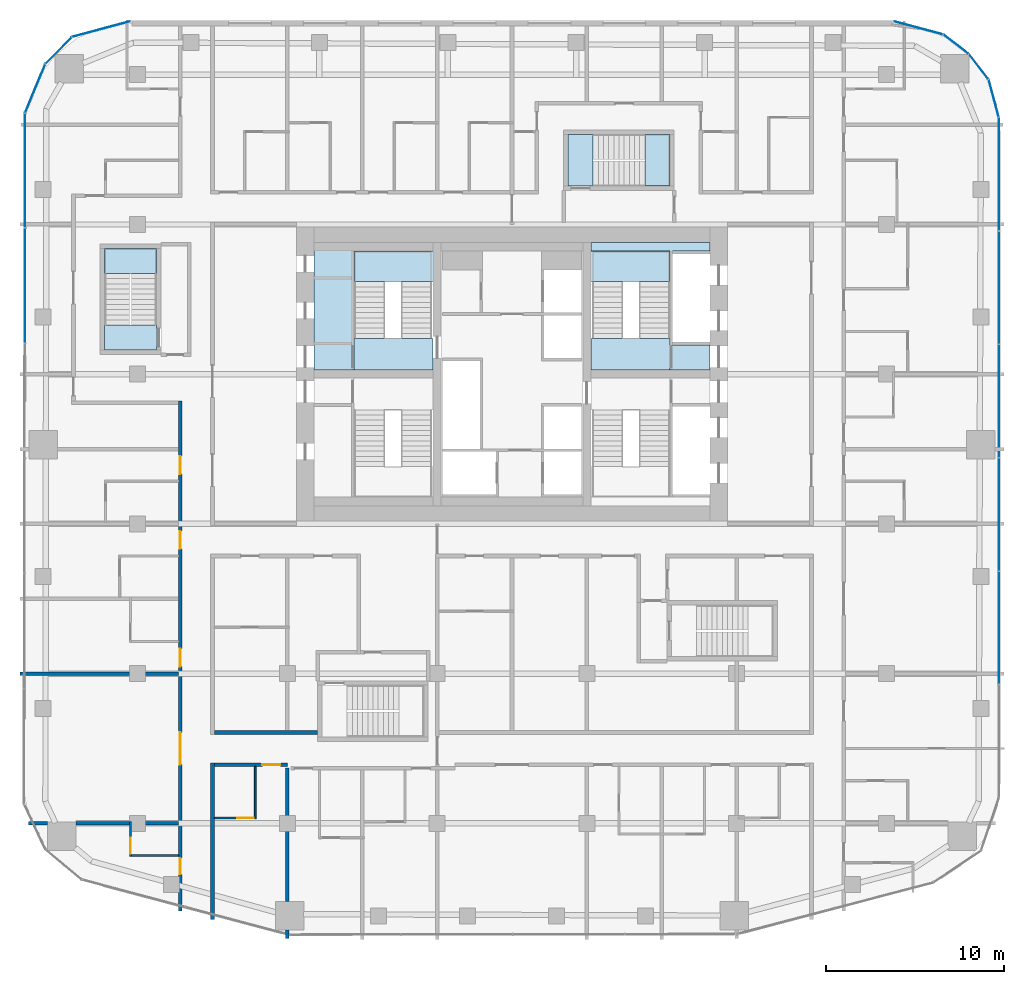
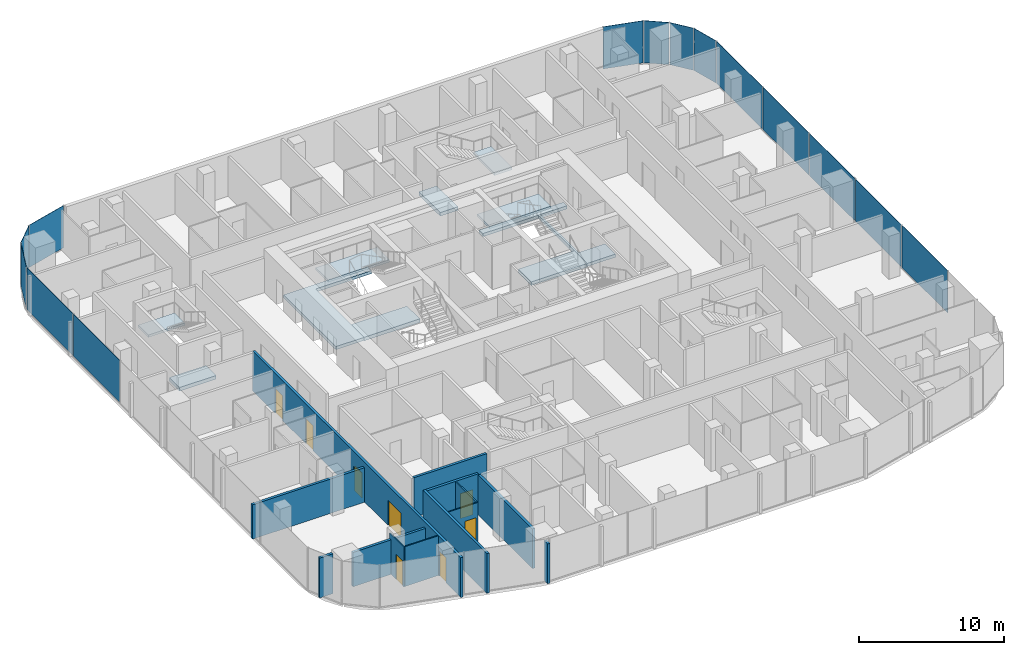
# One storey, part 13 of 23: 14 plates, 13 walls, 10 slabs, 8 doors, 8 openings, 13 elements without a shape of their own.
"""IFC4 building model written with IfcOpenShell, lengths in metres."""

from ifc_helpers import new_model, si_unit, direction, frame, frame_2d, origin, origin_2d, place, context, subcontext, project, spatial, polyline, rectangle, outline, extrude, material, layer, layer_set, type_object, element, fill, aggregate, save


model = new_model("IFC4")

# Units and contexts
model_context = context("Model", 3, precision=1e-05, world=origin(), true_north=direction((0.0, 1.0)))
body_context = subcontext(model_context, "Body", "Model", "MODEL_VIEW")
ifc_project = project(units=[si_unit("LENGTHUNIT", "METRE"), si_unit("AREAUNIT", "SQUARE_METRE"), si_unit("VOLUMEUNIT", "CUBIC_METRE"), si_unit("PLANEANGLEUNIT", "RADIAN"), si_unit("MASSUNIT", "GRAM", prefix="KILO")], contexts=[model_context])

# Site, building, storey
site_placement = place(None, origin())
site = spatial("IfcSite", under=ifc_project, at=site_placement, CompositionType="ELEMENT")
building_placement = place(site_placement, origin())
building = spatial("IfcBuilding", under=site, at=building_placement, Name="Marenta Gate Hotel Tower", CompositionType="ELEMENT")
storey_placement = place(building_placement, frame((0.0, 0.0, 119.300048828125)))
storey = spatial("IfcBuildingStorey", under=building, at=storey_placement, Name="L26", CompositionType="ELEMENT", Elevation=119.300048828125)

# Slabs
ifc_material_1 = material(Name="Concrete C40", Category="concrete")
ifc_layer_1 = layer(ifc_material_1, 0.260009765625)
ifc_layer_set_1 = layer_set([ifc_layer_1], Name="Concrete C40")
slab_type_1 = type_object("IfcSlabType", Name="Core floor slab 260", PredefinedType="FLOOR", material=ifc_layer_set_1)
slab_1_placement = place(storey_placement, frame((0.0, 0.0, -0.260009765625)))
element("IfcSlab", 1, at=slab_1_placement, inside=storey, type_object=slab_type_1, Name="L26-CF-3", PredefinedType="FLOOR", context=body_context, shape_type="SweptSolid", body=[
    extrude(outline(polyline([(8.85009765625, 15.300048828125), (4.425048828125, 15.300048828125), (4.425048828125, 15.800048828125), (11.10009765625, 15.800048828125), (11.10009765625, 15.300048828125), (9.0, 15.300048828125), (9.0, 15.14990234375), (9.0, 12.75), (9.0, 12.60009765625), (9.0, 10.199951171875), (9.0, 10.050048828125), (11.10009765625, 10.050048828125), (11.10009765625, 8.625), (8.85009765625, 8.625), (8.85009765625, 8.699951171875), (8.85009765625, 10.39990234375), (8.85009765625, 15.300048828125)])), origin(), (0.0, 0.0, 1.0), 0.260009765625),
])
slab_2_placement = place(storey_placement, frame((0.0, 0.0, -0.260009765625)))
element("IfcSlab", 2, at=slab_2_placement, inside=storey, type_object=slab_type_1, Name="L26-CF-6", PredefinedType="FLOOR", context=body_context, shape_type="SweptSolid", body=[
    extrude(outline(polyline([(-4.425048828125, 15.300048828125), (-8.85009765625, 15.300048828125), (-8.85009765625, 10.39990234375), (-8.85009765625, 8.699951171875), (-8.85009765625, 8.625), (-11.10009765625, 8.625), (-11.10009765625, 15.800048828125), (-4.425048828125, 15.800048828125), (-4.425048828125, 15.300048828125)])), origin(), (0.0, 0.0, 1.0), 0.260009765625),
])

# Stair, slab
ifc_material_2 = material(Name="Concrete C40", Category="concrete")
stair_type_1 = type_object("IfcStairType", Name="Core exit stair 1700 wide", PredefinedType="HALF_TURN_STAIR", material=ifc_material_2)
stair_1_placement = place(storey_placement, origin())
stair_1 = element("IfcStair", 3, at=stair_1_placement, inside=storey, type_object=stair_type_1, Name="Exit stair 2", PredefinedType="HALF_TURN_STAIR")
ifc_material_3 = material(Name="Concrete C40", Category="concrete")
ifc_layer_2 = layer(ifc_material_3, 0.199951171875)
ifc_layer_set_2 = layer_set([ifc_layer_2], Name="Concrete C40")
slab_type_2 = type_object("IfcSlabType", Name="Core stair landing 200", PredefinedType="LANDING", material=ifc_layer_set_2)
slab_3_placement = place(storey_placement, frame((0.0, 0.0, 1.599853515625)))
slab_3 = element("IfcSlab", 4, at=slab_3_placement, type_object=slab_type_2, Name="SL-200 ST2 landing 1", PredefinedType="LANDING", context=body_context, shape_type="SweptSolid", body=[
    extrude(outline(polyline([(-8.85009765625, 13.590087890625), (-3.97509765625, 13.590087890625), (-3.97509765625, 15.300048828125), (-8.85009765625, 15.300048828125), (-8.85009765625, 13.590087890625)])), origin(), (0.0, 0.0, 1.0), 0.2001953125),
])
aggregate(stair_1, [slab_3])

stair_2_placement = place(storey_placement, origin())
stair_2 = element("IfcStair", 5, at=stair_2_placement, inside=storey, type_object=stair_type_1, Name="Exit stair 4", PredefinedType="HALF_TURN_STAIR")
slab_4_placement = place(storey_placement, frame((0.0, 0.0, 1.599853515625)))
slab_4 = element("IfcSlab", 6, at=slab_4_placement, type_object=slab_type_2, Name="SL-200 ST4 landing 1", PredefinedType="LANDING", context=body_context, shape_type="SweptSolid", body=[
    extrude(outline(polyline([(3.97509765625, 13.590087890625), (8.85009765625, 13.590087890625), (8.85009765625, 15.300048828125), (3.97509765625, 15.300048828125), (3.97509765625, 13.590087890625)])), origin(), (0.0, 0.0, 1.0), 0.2001953125),
])
aggregate(stair_2, [slab_4])

# Curtain wall, plate
ifc_material_4 = material(Name="Tinted insulated glass in bronze anodised frame", Category="glass")
ifc_layer_3 = layer(ifc_material_4, 0.1201171875)
ifc_layer_set_3 = layer_set([ifc_layer_3], Name="Tinted insulated glass in bronze anodised frame")
curtain_wall_type = type_object("IfcCurtainWallType", Name="Tower unitised curtain wall CW1", PredefinedType="NOTDEFINED", material=ifc_layer_set_3)
curtain_wall_1_placement = place(storey_placement, origin())
curtain_wall_1 = element("IfcCurtainWall", 7, at=curtain_wall_1_placement, inside=storey, type_object=curtain_wall_type, Name="CW1 run G00", PredefinedType="NOTDEFINED")
ifc_material_5 = material(Name="Tinted insulated glass", Category="glass")
ifc_layer_4 = layer(ifc_material_5, 0.028076171875)
ifc_layer_set_4 = layer_set([ifc_layer_4], Name="Tinted insulated glass")
plate_type = type_object("IfcPlateType", Name="Glass panel CW1 28 mm tinted insulated unit", PredefinedType="CURTAIN_PANEL", material=ifc_layer_set_4)
plate_1_placement = place(storey_placement, frame((-23.04052734375, 27.759765625, 0.059814453125), z_axis=(0.0, 0.0, 1.0), x_axis=(-0.96593059835, -0.258801234873, 0.0)))
plate_1 = element("IfcPlate", 8, at=plate_1_placement, type_object=plate_type, Name="CW1 panel 1.1", PredefinedType="CURTAIN_PANEL", context=body_context, shape_type="SweptSolid", body=[
    extrude(rectangle(XDim=3.366943359375, YDim=0.028076171875, at=origin_2d()), origin(), (0.0, 0.0, 1.0), 3.5400390625),
])
aggregate(curtain_wall_1, [plate_1])

curtain_wall_2_placement = place(storey_placement, origin())
curtain_wall_2 = element("IfcCurtainWall", 9, at=curtain_wall_2_placement, inside=storey, type_object=curtain_wall_type, Name="CW1 run G01", PredefinedType="NOTDEFINED")
plate_2_placement = place(storey_placement, frame((-25.440673828125, 26.550048828125, 0.059814453125), z_axis=(0.0, 0.0, 1.0), x_axis=(-0.707106781187, -0.707106781187, 0.0)))
plate_2 = element("IfcPlate", 10, at=plate_2_placement, type_object=plate_type, Name="CW1 panel 1.1", PredefinedType="CURTAIN_PANEL", context=body_context, shape_type="SweptSolid", body=[
    extrude(rectangle(XDim=2.069091796875, YDim=0.028076171875, at=origin_2d()), origin(), (0.0, 0.0, 1.0), 3.5400390625),
])
aggregate(curtain_wall_2, [plate_2])

curtain_wall_3_placement = place(storey_placement, origin())
curtain_wall_3 = element("IfcCurtainWall", 11, at=curtain_wall_3_placement, inside=storey, type_object=curtain_wall_type, Name="CW1 run G02", PredefinedType="NOTDEFINED")
plate_3_placement = place(storey_placement, frame((-26.75390625, 24.41455078125, 0.059814453125), z_axis=(0.0, 0.0, 1.0), x_axis=(-0.382671975111, -0.923884278178, 0.0)))
plate_3 = element("IfcPlate", 12, at=plate_3_placement, type_object=plate_type, Name="CW1 panel 1.1", PredefinedType="CURTAIN_PANEL", context=body_context, shape_type="SweptSolid", body=[
    extrude(rectangle(XDim=2.919189453125, YDim=0.028076171875, at=origin_2d()), origin(), (0.0, 0.0, 1.0), 3.5400390625),
])
aggregate(curtain_wall_3, [plate_3])

# Curtain wall, plates
curtain_wall_4_placement = place(storey_placement, origin())
curtain_wall_4 = element("IfcCurtainWall", 13, at=curtain_wall_4_placement, inside=storey, type_object=curtain_wall_type, Name="CW1 run G03", PredefinedType="NOTDEFINED")
plate_4_placement = place(storey_placement, frame((-27.3173828125, 19.8212890625, 0.059814453125), z_axis=(0.0, 0.0, 1.0), x_axis=(-0.001566045546, -0.99999877375, 0.0)))
plate_4 = element("IfcPlate", 14, at=plate_4_placement, type_object=plate_type, Name="CW1 panel 1.1", PredefinedType="CURTAIN_PANEL", context=body_context, shape_type="SweptSolid", body=[
    extrude(rectangle(XDim=6.3701171875, YDim=0.028076171875, at=origin_2d()), origin(), (0.0, 0.0, 1.0), 3.5400390625),
])
plate_5_placement = place(storey_placement, frame((-27.327392578125, 13.376220703125, 0.059814453125), z_axis=(0.0, 0.0, 1.0), x_axis=(-0.001566045546, -0.99999877375, 0.0)))
plate_5 = element("IfcPlate", 15, at=plate_5_placement, type_object=plate_type, Name="CW1 panel 2.1", PredefinedType="CURTAIN_PANEL", context=body_context, shape_type="SweptSolid", body=[
    extrude(rectangle(XDim=6.39990234375, YDim=0.028076171875, at=origin_2d()), origin(), (0.0, 0.0, 1.0), 3.5400390625),
])
aggregate(curtain_wall_4, [plate_4, plate_5])

curtain_wall_5_placement = place(storey_placement, origin())
curtain_wall_5 = element("IfcCurtainWall", 16, at=curtain_wall_5_placement, inside=storey, type_object=curtain_wall_type, Name="CW1 run G11", PredefinedType="NOTDEFINED")
plate_6_placement = place(storey_placement, frame((27.31396484375, -5.828125, 0.059814453125), z_axis=(0.0, 0.0, 1.0), x_axis=(0.0, 1.0, 0.0)))
plate_6 = element("IfcPlate", 17, at=plate_6_placement, type_object=plate_type, Name="CW1 panel 2.1", PredefinedType="CURTAIN_PANEL", context=body_context, shape_type="SweptSolid", body=[
    extrude(rectangle(XDim=6.300048828125, YDim=0.028076171875, at=origin_2d()), origin(), (0.0, 0.0, 1.0), 3.5400390625),
])
plate_7_placement = place(storey_placement, frame((27.31396484375, 0.531982421875, 0.059814453125), z_axis=(0.0, 0.0, 1.0), x_axis=(0.0, 1.0, 0.0)))
plate_7 = element("IfcPlate", 18, at=plate_7_placement, type_object=plate_type, Name="CW1 panel 3.1", PredefinedType="CURTAIN_PANEL", context=body_context, shape_type="SweptSolid", body=[
    extrude(rectangle(XDim=6.300048828125, YDim=0.028076171875, at=origin_2d()), origin(), (0.0, 0.0, 1.0), 3.5400390625),
])
plate_8_placement = place(storey_placement, frame((27.31396484375, 6.891845703125, 0.059814453125), z_axis=(0.0, 0.0, 1.0), x_axis=(0.0, 1.0, 0.0)))
plate_8 = element("IfcPlate", 19, at=plate_8_placement, type_object=plate_type, Name="CW1 panel 4.1", PredefinedType="CURTAIN_PANEL", context=body_context, shape_type="SweptSolid", body=[
    extrude(rectangle(XDim=6.300048828125, YDim=0.028076171875, at=origin_2d()), origin(), (0.0, 0.0, 1.0), 3.5400390625),
])
plate_9_placement = place(storey_placement, frame((27.31396484375, 13.251953125, 0.059814453125), z_axis=(0.0, 0.0, 1.0), x_axis=(0.0, 1.0, 0.0)))
plate_9 = element("IfcPlate", 20, at=plate_9_placement, type_object=plate_type, Name="CW1 panel 5.1", PredefinedType="CURTAIN_PANEL", context=body_context, shape_type="SweptSolid", body=[
    extrude(rectangle(XDim=6.300048828125, YDim=0.028076171875, at=origin_2d()), origin(), (0.0, 0.0, 1.0), 3.5400390625),
])
plate_10_placement = place(storey_placement, frame((27.31396484375, 19.626953125, 0.059814453125), z_axis=(0.0, 0.0, 1.0), x_axis=(0.0, 1.0, 0.0)))
plate_10 = element("IfcPlate", 21, at=plate_10_placement, type_object=plate_type, Name="CW1 panel 6.1", PredefinedType="CURTAIN_PANEL", context=body_context, shape_type="SweptSolid", body=[
    extrude(rectangle(XDim=6.330078125, YDim=0.028076171875, at=origin_2d()), origin(), (0.0, 0.0, 1.0), 3.5400390625),
])
aggregate(curtain_wall_5, [plate_6, plate_7, plate_8, plate_9, plate_10])

# Curtain wall, plate
curtain_wall_6_placement = place(storey_placement, origin())
curtain_wall_6 = element("IfcCurtainWall", 22, at=curtain_wall_6_placement, inside=storey, type_object=curtain_wall_type, Name="CW1 run G12", PredefinedType="NOTDEFINED")
plate_11_placement = place(storey_placement, frame((27.022216796875, 23.880615234375, 0.059814453125), z_axis=(0.0, 0.0, 1.0), x_axis=(-0.258822651658, 0.965924859908, 0.0)))
plate_11 = element("IfcPlate", 23, at=plate_11_placement, type_object=plate_type, Name="CW1 panel 1.1", PredefinedType="CURTAIN_PANEL", context=body_context, shape_type="SweptSolid", body=[
    extrude(rectangle(XDim=2.13427734375, YDim=0.028076171875, at=origin_2d()), origin(), (0.0, 0.0, 1.0), 3.5400390625),
])
aggregate(curtain_wall_6, [plate_11])

curtain_wall_7_placement = place(storey_placement, origin())
curtain_wall_7 = element("IfcCurtainWall", 24, at=curtain_wall_7_placement, inside=storey, type_object=curtain_wall_type, Name="CW1 run G13", PredefinedType="NOTDEFINED")
plate_12_placement = place(storey_placement, frame((26.177490234375, 25.652099609375, 0.059814453125), z_axis=(0.0, 0.0, 1.0), x_axis=(-0.608796116694, 0.793326722289, 0.0)))
plate_12 = element("IfcPlate", 25, at=plate_12_placement, type_object=plate_type, Name="CW1 panel 1.1", PredefinedType="CURTAIN_PANEL", context=body_context, shape_type="SweptSolid", body=[
    extrude(rectangle(XDim=1.747802734375, YDim=0.028076171875, at=origin_2d()), origin(), (0.0, 0.0, 1.0), 3.5400390625),
])
aggregate(curtain_wall_7, [plate_12])

curtain_wall_8_placement = place(storey_placement, origin())
curtain_wall_8 = element("IfcCurtainWall", 26, at=curtain_wall_8_placement, inside=storey, type_object=curtain_wall_type, Name="CW1 run G14", PredefinedType="NOTDEFINED")
plate_13_placement = place(storey_placement, frame((24.904541015625, 26.9140625, 0.059814453125), z_axis=(0.0, 0.0, 1.0), x_axis=(-0.793326722289, 0.608796116694, 0.0)))
plate_13 = element("IfcPlate", 27, at=plate_13_placement, type_object=plate_type, Name="CW1 panel 1.1", PredefinedType="CURTAIN_PANEL", context=body_context, shape_type="SweptSolid", body=[
    extrude(rectangle(XDim=1.747802734375, YDim=0.028076171875, at=origin_2d()), origin(), (0.0, 0.0, 1.0), 3.5400390625),
])
aggregate(curtain_wall_8, [plate_13])

curtain_wall_9_placement = place(storey_placement, origin())
curtain_wall_9 = element("IfcCurtainWall", 28, at=curtain_wall_9_placement, inside=storey, type_object=curtain_wall_type, Name="CW1 run G15", PredefinedType="NOTDEFINED")
plate_14_placement = place(storey_placement, frame((22.783935546875, 27.82861328125, 0.059814453125), z_axis=(0.0, 0.0, 1.0), x_axis=(-0.965929324305, 0.258805989975, 0.0)))
plate_14 = element("IfcPlate", 29, at=plate_14_placement, type_object=plate_type, Name="CW1 panel 1.1", PredefinedType="CURTAIN_PANEL", context=body_context, shape_type="SweptSolid", body=[
    extrude(rectangle(XDim=2.83544921875, YDim=0.028076171875, at=origin_2d()), origin(), (0.0, 0.0, 1.0), 3.5400390625),
])
aggregate(curtain_wall_9, [plate_14])

# Stair, slab
ifc_material_6 = material(Name="Concrete C40", Category="concrete")
stair_type_2 = type_object("IfcStairType", Name="Remote exit stair 1400 wide", PredefinedType="HALF_TURN_STAIR", material=ifc_material_6)
stair_3_placement = place(storey_placement, origin())
stair_3 = element("IfcStair", 30, at=stair_3_placement, inside=storey, type_object=stair_type_2, Name="Exit stair RS-Z1-3", PredefinedType="HALF_TURN_STAIR")
ifc_material_7 = material(Name="Concrete C40", Category="concrete")
ifc_layer_5 = layer(ifc_material_7, 0.199951171875)
ifc_layer_set_5 = layer_set([ifc_layer_5], Name="Concrete C40")
slab_type_3 = type_object("IfcSlabType", Name="Remote stair landing 200", PredefinedType="LANDING", material=ifc_layer_set_5)
slab_5_placement = place(storey_placement, frame((0.0, 0.0, 1.599853515625)))
slab_5 = element("IfcSlab", 31, at=slab_5_placement, type_object=slab_type_3, Name="RL-200 RS-Z1-3 landing 1", PredefinedType="LANDING", context=body_context, shape_type="SweptSolid", body=[
    extrude(outline(polyline([(-22.85009765625, 14.050048828125), (-19.949951171875, 14.050048828125), (-19.949951171875, 15.449951171875), (-22.85009765625, 15.449951171875), (-22.85009765625, 14.050048828125)])), origin(), (0.0, 0.0, 1.0), 0.2001953125),
])
aggregate(stair_3, [slab_5])

stair_4_placement = place(storey_placement, origin())
stair_4 = element("IfcStair", 32, at=stair_4_placement, inside=storey, type_object=stair_type_2, Name="Exit stair RS-Z2-4", PredefinedType="HALF_TURN_STAIR")
slab_6_placement = place(storey_placement, frame((0.0, 0.0, 1.599853515625)))
slab_6 = element("IfcSlab", 33, at=slab_6_placement, type_object=slab_type_3, Name="RL-200 RS-Z2-4 landing 1", PredefinedType="LANDING", context=body_context, shape_type="SweptSolid", body=[
    extrude(outline(polyline([(7.449951171875, 18.949951171875), (8.85009765625, 18.949951171875), (8.85009765625, 21.85009765625), (7.449951171875, 21.85009765625), (7.449951171875, 18.949951171875)])), origin(), (0.0, 0.0, 1.0), 0.2001953125),
])
aggregate(stair_4, [slab_6])

# Slabs
ifc_material_8 = material(Name="Concrete C40", Category="concrete")
ifc_layer_6 = layer(ifc_material_8, 0.300048828125)
ifc_layer_set_6 = layer_set([ifc_layer_6], Name="Concrete C40")
slab_type_4 = type_object("IfcSlabType", Name="Stair floor landing slab 300", PredefinedType="FLOOR", material=ifc_layer_set_6)
slab_7_placement = place(storey_placement, frame((0.0, 0.0, -0.300048828125)))
element("IfcSlab", 34, at=slab_7_placement, inside=storey, type_object=slab_type_4, Name="L26-CL-ST2-1", PredefinedType="FLOOR", context=body_context, shape_type="SweptSolid", body=[
    extrude(outline(polyline([(-4.425048828125, 8.625), (-8.85009765625, 8.625), (-8.85009765625, 8.699951171875), (-8.85009765625, 10.39990234375), (-4.425048828125, 10.39990234375), (-4.425048828125, 8.625)])), origin(), (0.0, 0.0, 1.0), 0.300048828125),
])
slab_8_placement = place(storey_placement, frame((0.0, 0.0, -0.300048828125)))
element("IfcSlab", 35, at=slab_8_placement, inside=storey, type_object=slab_type_4, Name="L26-CL-ST4-1", PredefinedType="FLOOR", context=body_context, shape_type="SweptSolid", body=[
    extrude(outline(polyline([(4.425048828125, 8.625), (4.425048828125, 10.39990234375), (8.85009765625, 10.39990234375), (8.85009765625, 8.699951171875), (8.85009765625, 8.625), (4.425048828125, 8.625)])), origin(), (0.0, 0.0, 1.0), 0.300048828125),
])
slab_9_placement = place(storey_placement, frame((0.0, 0.0, -0.300048828125)))
element("IfcSlab", 36, at=slab_9_placement, inside=storey, type_object=slab_type_4, Name="L26-RS-Z1-3-CL", PredefinedType="FLOOR", context=body_context, shape_type="SweptSolid", body=[
    extrude(outline(polyline([(-19.949951171875, 9.75), (-19.949951171875, 11.14990234375), (-22.85009765625, 11.14990234375), (-22.85009765625, 9.75), (-19.949951171875, 9.75)])), origin(), (0.0, 0.0, 1.0), 0.300048828125),
])
slab_10_placement = place(storey_placement, frame((0.0, 0.0, -0.300048828125)))
element("IfcSlab", 37, at=slab_10_placement, inside=storey, type_object=slab_type_4, Name="L26-RS-Z2-4-CL", PredefinedType="FLOOR", context=body_context, shape_type="SweptSolid", body=[
    extrude(outline(polyline([(4.550048828125, 18.949951171875), (4.550048828125, 21.85009765625), (3.14990234375, 21.85009765625), (3.14990234375, 18.949951171875), (4.550048828125, 18.949951171875)])), origin(), (0.0, 0.0, 1.0), 0.300048828125),
])

# Wall, opening, door
ifc_material_9 = material(Name="Gypsum board on steel stud", Category="steel")
ifc_layer_7 = layer(ifc_material_9, 0.199951171875)
ifc_layer_set_7 = layer_set([ifc_layer_7], Name="Gypsum board on steel stud")
wall_type_1 = type_object("IfcWallType", Name="Room corridor wall 200 EI 60", PredefinedType="PARTITIONING", material=ifc_layer_set_7)
wall_1_placement = place(storey_placement, frame((-16.699951171875, -13.5, 0.0), z_axis=(0.0, 0.0, 1.0), x_axis=(1.0, 0.0, 0.0)))
wall_1 = element("IfcWall", 38, at=wall_1_placement, inside=storey, type_object=wall_type_1, Name="L26-PTN-W026", PredefinedType="PARTITIONING", context=body_context, shape_type="SweptSolid", body=[
    extrude(rectangle(XDim=4.099853515625, YDim=0.199951171875, at=frame_2d((2.0498046875, 0.0))), origin(), (0.0, 0.0, 1.0), 3.33984375),
])
opening_1_placement = place(wall_1_placement, frame((2.699951171875, 0.0, 0.0)))
opening_1 = element("IfcOpeningElement", 39, at=opening_1_placement, cuts=wall_1, Name="Opening G09-41", PredefinedType="OPENING", context=body_context, shape_type="SweptSolid", body=[
    extrude(rectangle(XDim=1.0, YDim=2.10009765625, at=frame_2d((0.5, 1.050048828125))), frame((0.0, 0.10009765625, 0.0), z_axis=(0.0, -1.0, 0.0), x_axis=(1.0, 0.0, 0.0)), (0.0, 0.0, 1.0), 0.199951171875),
])
ifc_material_10 = material(Name="Timber door leaf", Category="wood")
door_type_1 = type_object("IfcDoorType", Name="Guest room door 1000x2100 EI 30", OperationType="NOTDEFINED", PredefinedType="DOOR", material=ifc_material_10)
door_1_placement = place(opening_1_placement, origin())
door_1 = element("IfcDoor", 40, at=door_1_placement, inside=storey, type_object=door_type_1, Name="L26-PD-D041", OperationType="SINGLE_SWING_LEFT", OverallHeight=2.10009765625, OverallWidth=1.0, PredefinedType="DOOR", context=body_context, shape_type="SweptSolid", body=[
    extrude(rectangle(XDim=1.0, YDim=2.10009765625, at=frame_2d((0.5, 1.050048828125))), frame((0.0, 0.02490234375, 0.0), z_axis=(0.0, -1.0, 0.0), x_axis=(1.0, 0.0, 0.0)), (0.0, 0.0, 1.0), 0.050048828125),
])
fill(opening_1, door_1)

# Walls
wall_2_placement = place(storey_placement, frame((-16.699951171875, -11.699951171875, 0.0), z_axis=(0.0, 0.0, 1.0), x_axis=(1.0, 0.0, 0.0)))
element("IfcWall", 41, at=wall_2_placement, inside=storey, type_object=wall_type_1, Name="L26-PTN-W033", PredefinedType="PARTITIONING", context=body_context, shape_type="SweptSolid", body=[
    extrude(rectangle(XDim=5.800048828125, YDim=0.199951171875, at=frame_2d((2.89990234375, 0.0))), origin(), (0.0, 0.0, 1.0), 3.33984375),
])
wall_3_placement = place(storey_placement, frame((-16.800048828125, -22.18603515625, 0.0), z_axis=(0.0, 0.0, 1.0), x_axis=(0.0, 1.0, 0.0)))
element("IfcWall", 42, at=wall_3_placement, inside=storey, type_object=wall_type_1, Name="L26-PTN-W097", PredefinedType="PARTITIONING", context=body_context, shape_type="SweptSolid", body=[
    extrude(rectangle(XDim=8.7861328125, YDim=0.199951171875, at=frame_2d((4.39306640625, 0.0))), origin(), (0.0, 0.0, 1.0), 3.33984375),
])

# Wall, openings, doors
wall_4_placement = place(storey_placement, frame((-18.60009765625, -21.7080078125, 0.0), z_axis=(0.0, 0.0, 1.0), x_axis=(0.0, 1.0, 0.0)))
wall_4 = element("IfcWall", 43, at=wall_4_placement, inside=storey, type_object=wall_type_1, Name="L26-PTN-W104", PredefinedType="PARTITIONING", context=body_context, shape_type="SweptSolid", body=[
    extrude(rectangle(XDim=28.60791015625, YDim=0.199951171875, at=frame_2d((14.303955078125, 0.0))), origin(), (0.0, 0.0, 1.0), 3.33984375),
])
opening_2_placement = place(wall_4_placement, frame((2.053955078125, 0.0, 0.0)))
opening_2 = element("IfcOpeningElement", 44, at=opening_2_placement, cuts=wall_4, Name="Opening G09-54", PredefinedType="OPENING", context=body_context, shape_type="SweptSolid", body=[
    extrude(rectangle(XDim=0.89990234375, YDim=2.10009765625, at=frame_2d((0.449951171875, 1.050048828125))), frame((0.0, 0.10009765625, 0.0), z_axis=(0.0, -1.0, 0.0), x_axis=(1.0, 0.0, 0.0)), (0.0, 0.0, 1.0), 0.199951171875),
])
opening_3_placement = place(wall_4_placement, frame((8.2080078125, 0.0, 0.0)))
opening_3 = element("IfcOpeningElement", 45, at=opening_3_placement, cuts=wall_4, Name="Opening G09-56", PredefinedType="OPENING", context=body_context, shape_type="SweptSolid", body=[
    extrude(rectangle(XDim=1.800048828125, YDim=2.10009765625, at=frame_2d((0.89990234375, 1.050048828125))), frame((0.0, 0.10009765625, 0.0), z_axis=(0.0, -1.0, 0.0), x_axis=(1.0, 0.0, 0.0)), (0.0, 0.0, 1.0), 0.199951171875),
])
opening_4_placement = place(wall_4_placement, frame((13.7080078125, 0.0, 0.0)))
opening_4 = element("IfcOpeningElement", 46, at=opening_4_placement, cuts=wall_4, Name="Opening G09-57", PredefinedType="OPENING", context=body_context, shape_type="SweptSolid", body=[
    extrude(rectangle(XDim=1.0, YDim=2.10009765625, at=frame_2d((0.5, 1.050048828125))), frame((0.0, 0.10009765625, 0.0), z_axis=(0.0, -1.0, 0.0), x_axis=(1.0, 0.0, 0.0)), (0.0, 0.0, 1.0), 0.199951171875),
])
opening_5_placement = place(wall_4_placement, frame((20.30810546875, 0.0, 0.0)))
opening_5 = element("IfcOpeningElement", 47, at=opening_5_placement, cuts=wall_4, Name="Opening G09-59", PredefinedType="OPENING", context=body_context, shape_type="SweptSolid", body=[
    extrude(rectangle(XDim=1.0, YDim=2.10009765625, at=frame_2d((0.5, 1.050048828125))), frame((0.0, 0.10009765625, 0.0), z_axis=(0.0, -1.0, 0.0), x_axis=(1.0, 0.0, 0.0)), (0.0, 0.0, 1.0), 0.199951171875),
])
opening_6_placement = place(wall_4_placement, frame((24.508056640625, 0.0, 0.0)))
opening_6 = element("IfcOpeningElement", 48, at=opening_6_placement, cuts=wall_4, Name="Opening G09-61", PredefinedType="OPENING", context=body_context, shape_type="SweptSolid", body=[
    extrude(rectangle(XDim=1.0, YDim=2.10009765625, at=frame_2d((0.5, 1.050048828125))), frame((0.0, 0.10009765625, 0.0), z_axis=(0.0, -1.0, 0.0), x_axis=(1.0, 0.0, 0.0)), (0.0, 0.0, 1.0), 0.199951171875),
])
door_2_placement = place(opening_4_placement, origin())
door_2 = element("IfcDoor", 49, at=door_2_placement, inside=storey, type_object=door_type_1, Name="L26-PD-D057", OperationType="SINGLE_SWING_RIGHT", OverallHeight=2.10009765625, OverallWidth=1.0, PredefinedType="DOOR", context=body_context, shape_type="SweptSolid", body=[
    extrude(rectangle(XDim=1.0, YDim=2.10009765625, at=frame_2d((0.5, 1.050048828125))), frame((0.0, 0.02490234375, 0.0), z_axis=(0.0, -1.0, 0.0), x_axis=(1.0, 0.0, 0.0)), (0.0, 0.0, 1.0), 0.050048828125),
])
fill(opening_4, door_2)
door_3_placement = place(opening_5_placement, origin())
door_3 = element("IfcDoor", 50, at=door_3_placement, inside=storey, type_object=door_type_1, Name="L26-PD-D059", OperationType="SINGLE_SWING_RIGHT", OverallHeight=2.10009765625, OverallWidth=1.0, PredefinedType="DOOR", context=body_context, shape_type="SweptSolid", body=[
    extrude(rectangle(XDim=1.0, YDim=2.10009765625, at=frame_2d((0.5, 1.050048828125))), frame((0.0, 0.02490234375, 0.0), z_axis=(0.0, -1.0, 0.0), x_axis=(1.0, 0.0, 0.0)), (0.0, 0.0, 1.0), 0.050048828125),
])
fill(opening_5, door_3)
door_4_placement = place(opening_6_placement, origin())
door_4 = element("IfcDoor", 51, at=door_4_placement, inside=storey, type_object=door_type_1, Name="L26-PD-D061", OperationType="SINGLE_SWING_RIGHT", OverallHeight=2.10009765625, OverallWidth=1.0, PredefinedType="DOOR", context=body_context, shape_type="SweptSolid", body=[
    extrude(rectangle(XDim=1.0, YDim=2.10009765625, at=frame_2d((0.5, 1.050048828125))), frame((0.0, 0.02490234375, 0.0), z_axis=(0.0, -1.0, 0.0), x_axis=(1.0, 0.0, 0.0)), (0.0, 0.0, 1.0), 0.050048828125),
])
fill(opening_6, door_4)
ifc_material_11 = material(Name="Timber door leaf", Category="wood")
door_type_2 = type_object("IfcDoorType", Name="Guest room door 900x2100 EI 30", OperationType="NOTDEFINED", PredefinedType="DOOR", material=ifc_material_11)
door_5_placement = place(opening_2_placement, origin())
door_5 = element("IfcDoor", 52, at=door_5_placement, inside=storey, type_object=door_type_2, Name="L26-PD-D054", OperationType="SINGLE_SWING_LEFT", OverallHeight=2.10009765625, OverallWidth=0.89990234375, PredefinedType="DOOR", context=body_context, shape_type="SweptSolid", body=[
    extrude(rectangle(XDim=0.89990234375, YDim=2.10009765625, at=frame_2d((0.449951171875, 1.050048828125))), frame((0.0, 0.02490234375, 0.0), z_axis=(0.0, -1.0, 0.0), x_axis=(1.0, 0.0, 0.0)), (0.0, 0.0, 1.0), 0.050048828125),
])
fill(opening_2, door_5)
ifc_material_12 = material(Name="Timber door leaf", Category="wood")
door_type_3 = type_object("IfcDoorType", Name="Room amenity door 1800x2100 EI 30", OperationType="DOUBLE_DOOR_SINGLE_SWING", PredefinedType="DOOR", material=ifc_material_12)
door_6_placement = place(opening_3_placement, origin())
door_6 = element("IfcDoor", 53, at=door_6_placement, inside=storey, type_object=door_type_3, Name="L26-PD-D056", OperationType="DOUBLE_DOOR_SINGLE_SWING", OverallHeight=2.10009765625, OverallWidth=1.800048828125, PredefinedType="DOOR", context=body_context, shape_type="SweptSolid", body=[
    extrude(rectangle(XDim=1.800048828125, YDim=2.10009765625, at=frame_2d((0.89990234375, 1.050048828125))), frame((0.0, 0.02490234375, 0.0), z_axis=(0.0, -1.0, 0.0), x_axis=(1.0, 0.0, 0.0)), (0.0, 0.0, 1.0), 0.050048828125),
])
fill(opening_3, door_6)

# Wall
ifc_material_13 = material(Name="Gypsum board on steel stud", Category="steel")
ifc_layer_8 = layer(ifc_material_13, 0.10009765625)
ifc_layer_set_8 = layer_set([ifc_layer_8], Name="Gypsum board on steel stud")
wall_type_2 = type_object("IfcWallType", Name="Room partition 100", PredefinedType="PARTITIONING", material=ifc_layer_set_8)
wall_5_placement = place(storey_placement, frame((-21.35009765625, -18.60009765625, 0.0), z_axis=(0.0, 0.0, 1.0), x_axis=(1.0, 0.0, 0.0)))
element("IfcWall", 54, at=wall_5_placement, inside=storey, type_object=wall_type_2, Name="L26-PTN-W011", PredefinedType="PARTITIONING", context=body_context, shape_type="SweptSolid", body=[
    extrude(rectangle(XDim=2.650146484375, YDim=0.10009765625, at=frame_2d((1.3251953125, 0.0))), origin(), (0.0, 0.0, 1.0), 3.33984375),
])

# Wall, opening, door
wall_6_placement = place(storey_placement, frame((-16.699951171875, -16.5, 0.0), z_axis=(0.0, 0.0, 1.0), x_axis=(1.0, 0.0, 0.0)))
wall_6 = element("IfcWall", 55, at=wall_6_placement, inside=storey, type_object=wall_type_2, Name="L26-PTN-W020", PredefinedType="PARTITIONING", context=body_context, shape_type="SweptSolid", body=[
    extrude(rectangle(XDim=2.349853515625, YDim=0.10009765625, at=frame_2d((1.1748046875, 0.0))), origin(), (0.0, 0.0, 1.0), 3.33984375),
])
opening_7_placement = place(wall_6_placement, frame((1.300048828125, 0.0, 0.0)))
opening_7 = element("IfcOpeningElement", 56, at=opening_7_placement, cuts=wall_6, Name="Opening G09-42", PredefinedType="OPENING", context=body_context, shape_type="SweptSolid", body=[
    extrude(rectangle(XDim=0.89990234375, YDim=2.10009765625, at=frame_2d((0.449951171875, 1.050048828125))), frame((0.0, 0.050048828125, 0.0), z_axis=(0.0, -1.0, 0.0), x_axis=(1.0, 0.0, 0.0)), (0.0, 0.0, 1.0), 0.10009765625),
])
ifc_material_14 = material(Name="Timber door leaf", Category="wood")
door_type_4 = type_object("IfcDoorType", Name="Guest bathroom door 900x2100", OperationType="NOTDEFINED", PredefinedType="DOOR", material=ifc_material_14)
door_7_placement = place(opening_7_placement, origin())
door_7 = element("IfcDoor", 57, at=door_7_placement, inside=storey, type_object=door_type_4, Name="L26-PD-D042", OperationType="SINGLE_SWING_RIGHT", OverallHeight=2.10009765625, OverallWidth=0.89990234375, PredefinedType="DOOR", context=body_context, shape_type="SweptSolid", body=[
    extrude(rectangle(XDim=0.89990234375, YDim=2.10009765625, at=frame_2d((0.449951171875, 1.050048828125))), frame((0.0, 0.02490234375, 0.0), z_axis=(0.0, -1.0, 0.0), x_axis=(1.0, 0.0, 0.0)), (0.0, 0.0, 1.0), 0.050048828125),
])
fill(opening_7, door_7)

# Wall
wall_7_placement = place(storey_placement, frame((-14.39990234375, -16.449951171875, 0.0), z_axis=(0.0, 0.0, 1.0), x_axis=(0.0, 1.0, 0.0)))
element("IfcWall", 58, at=wall_7_placement, inside=storey, type_object=wall_type_2, Name="L26-PTN-W094", PredefinedType="PARTITIONING", context=body_context, shape_type="SweptSolid", body=[
    extrude(rectangle(XDim=2.849853515625, YDim=0.10009765625, at=frame_2d((1.4248046875, 0.0))), origin(), (0.0, 0.0, 1.0), 3.33984375),
])

# Wall, opening, door
wall_8_placement = place(storey_placement, frame((-21.39990234375, -18.64990234375, 0.0), z_axis=(0.0, 0.0, 1.0), x_axis=(0.0, 1.0, 0.0)))
wall_8 = element("IfcWall", 59, at=wall_8_placement, inside=storey, type_object=wall_type_2, Name="L26-PTN-W110", PredefinedType="PARTITIONING", context=body_context, shape_type="SweptSolid", body=[
    extrude(rectangle(XDim=1.949951171875, YDim=0.10009765625, at=frame_2d((0.97509765625, 0.0))), origin(), (0.0, 0.0, 1.0), 3.33984375),
])
opening_8_placement = place(wall_8_placement, frame((0.14990234375, 0.0, 0.0)))
opening_8 = element("IfcOpeningElement", 60, at=opening_8_placement, cuts=wall_8, Name="Opening G09-55", PredefinedType="OPENING", context=body_context, shape_type="SweptSolid", body=[
    extrude(rectangle(XDim=0.89990234375, YDim=2.10009765625, at=frame_2d((0.449951171875, 1.050048828125))), frame((0.0, 0.050048828125, 0.0), z_axis=(0.0, -1.0, 0.0), x_axis=(1.0, 0.0, 0.0)), (0.0, 0.0, 1.0), 0.10009765625),
])
door_8_placement = place(opening_8_placement, origin())
door_8 = element("IfcDoor", 61, at=door_8_placement, inside=storey, type_object=door_type_4, Name="L26-PD-D055", OperationType="SINGLE_SWING_RIGHT", OverallHeight=2.10009765625, OverallWidth=0.89990234375, PredefinedType="DOOR", context=body_context, shape_type="SweptSolid", body=[
    extrude(rectangle(XDim=0.89990234375, YDim=2.10009765625, at=frame_2d((0.449951171875, 1.050048828125))), frame((0.0, 0.02490234375, 0.0), z_axis=(0.0, -1.0, 0.0), x_axis=(1.0, 0.0, 0.0)), (0.0, 0.0, 1.0), 0.050048828125),
])
fill(opening_8, door_8)

# Walls
ifc_material_15 = material(Name="Gypsum board on steel stud", Category="steel")
ifc_layer_9 = layer(ifc_material_15, 0.199951171875)
ifc_layer_set_9 = layer_set([ifc_layer_9], Name="Gypsum board on steel stud")
wall_type_3 = type_object("IfcWallType", Name="Room party wall 200 EI 60", PredefinedType="PARTITIONING", material=ifc_layer_set_9)
wall_9_placement = place(storey_placement, frame((-27.112060546875, -16.800048828125, 0.0), z_axis=(0.0, 0.0, 1.0), x_axis=(1.0, 0.0, 0.0)))
element("IfcWall", 62, at=wall_9_placement, inside=storey, type_object=wall_type_3, Name="L26-PTN-W017", PredefinedType="PARTITIONING", context=body_context, shape_type="SweptSolid", body=[
    extrude(rectangle(XDim=1.049072265625, YDim=0.199951171875, at=frame_2d((0.5244140625, 0.0))), origin(), (0.0, 0.0, 1.0), 3.33984375),
])
wall_10_placement = place(storey_placement, frame((-24.462890625, -16.800048828125, 0.0), z_axis=(0.0, 0.0, 1.0), x_axis=(1.0, 0.0, 0.0)))
element("IfcWall", 63, at=wall_10_placement, inside=storey, type_object=wall_type_3, Name="L26-PTN-W130", PredefinedType="PARTITIONING", context=body_context, shape_type="SweptSolid", body=[
    extrude(rectangle(XDim=5.762939453125, YDim=0.199951171875, at=frame_2d((2.88134765625, 0.0))), origin(), (0.0, 0.0, 1.0), 2.889892578125),
])
wall_11_placement = place(storey_placement, frame((-27.60009765625, -8.39990234375, 0.0), z_axis=(0.0, 0.0, 1.0), x_axis=(1.0, 0.0, 0.0)))
element("IfcWall", 64, at=wall_11_placement, inside=storey, type_object=wall_type_3, Name="L26-PTN-W041", PredefinedType="PARTITIONING", context=body_context, shape_type="SweptSolid", body=[
    extrude(rectangle(XDim=8.900146484375, YDim=0.199951171875, at=frame_2d((4.4501953125, 0.0))), origin(), (0.0, 0.0, 1.0), 2.889892578125),
])
wall_12_placement = place(storey_placement, frame((-12.60009765625, -23.26611328125, 0.0), z_axis=(0.0, 0.0, 1.0), x_axis=(0.0, 1.0, 0.0)))
element("IfcWall", 65, at=wall_12_placement, inside=storey, type_object=wall_type_3, Name="L26-PTN-W090", PredefinedType="PARTITIONING", context=body_context, shape_type="SweptSolid", body=[
    extrude(rectangle(XDim=0.4912109375, YDim=0.199951171875, at=frame_2d((0.24560546875, 0.0))), origin(), (0.0, 0.0, 1.0), 3.33984375),
])
wall_13_placement = place(storey_placement, frame((-12.60009765625, -21.175048828125, 0.0), z_axis=(0.0, 0.0, 1.0), x_axis=(0.0, 1.0, 0.0)))
element("IfcWall", 66, at=wall_13_placement, inside=storey, type_object=wall_type_3, Name="L26-PTN-W135", PredefinedType="PARTITIONING", context=body_context, shape_type="SweptSolid", body=[
    extrude(rectangle(XDim=7.47509765625, YDim=0.199951171875, at=frame_2d((3.737548828125, 0.0))), origin(), (0.0, 0.0, 1.0), 3.33984375),
])

save(model, "model.ifc")
